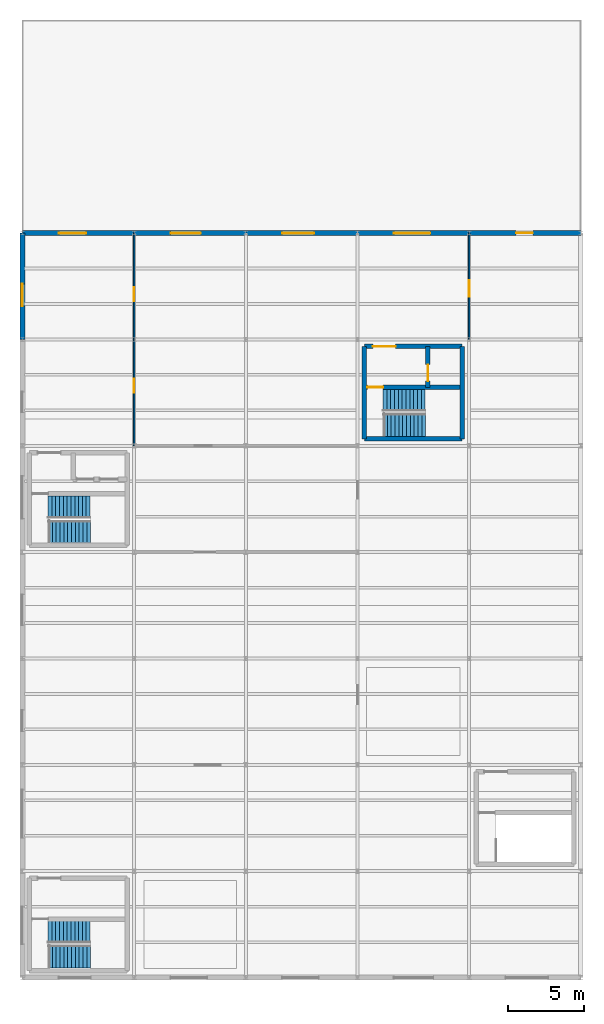
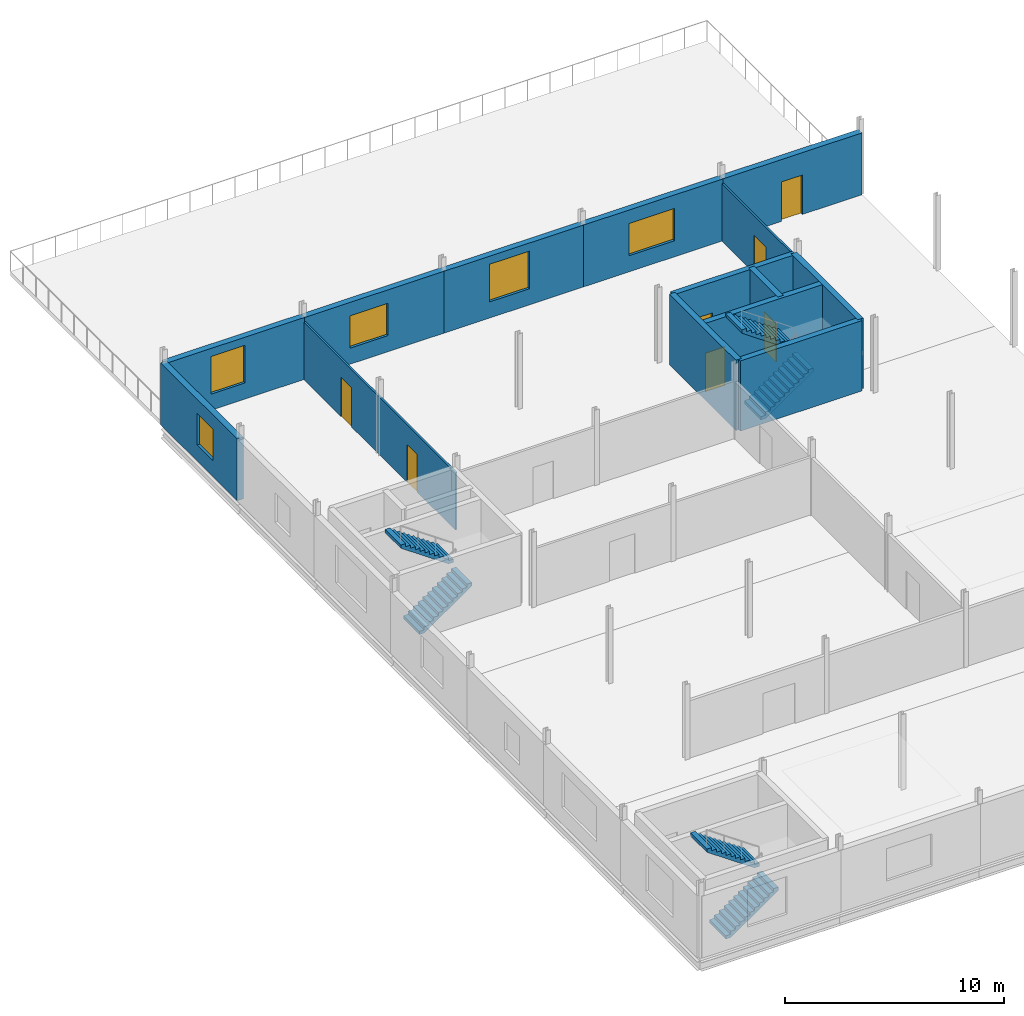
# One storey, part 8 of 9: 14 walls, 7 doors, 6 stair flights, 5 windows, 12 openings, 3 elements without a shape of their own.
"""IFC4 building model written with IfcOpenShell, lengths in metres."""

from ifc_helpers import new_model, si_unit, direction, frame, frame_2d, origin, place, context, subcontext, project, spatial, polyline, rectangle, outline, extrude, material, layer, layer_set, type_object, element, fill, aggregate, save


model = new_model("IFC4")

# Units and contexts
model_context = context("Model", 3, precision=1e-05, world=origin(), true_north=direction((0.0, 1.0)))
body_context = subcontext(model_context, "Body", "Model", "MODEL_VIEW")
ifc_project = project(units=[si_unit("LENGTHUNIT", "METRE"), si_unit("AREAUNIT", "SQUARE_METRE"), si_unit("VOLUMEUNIT", "CUBIC_METRE"), si_unit("PLANEANGLEUNIT", "RADIAN"), si_unit("MASSUNIT", "GRAM", prefix="KILO")], contexts=[model_context])

# Site, building, storey
site_placement = place(None, origin())
site = spatial("IfcSite", under=ifc_project, at=site_placement, CompositionType="ELEMENT")
building_placement = place(site_placement, origin())
building = spatial("IfcBuilding", under=site, at=building_placement, Name="Kazenagashi Tramway Depot", CompositionType="ELEMENT")
storey_placement = place(building_placement, frame((0.0, 0.0, 15.3)))
storey = spatial("IfcBuildingStorey", under=building, at=storey_placement, Name="L04", CompositionType="ELEMENT", Elevation=15.3)

# Wall, opening, window
ifc_material_1 = material(Name="Clay Brick Masonry JIS R 1250 Class 1 (20 MPa)", Category="masonry")
ifc_layer_1 = layer(ifc_material_1, 0.32)
ifc_layer_set_1 = layer_set([ifc_layer_1], Name="Clay Brick Masonry JIS R 1250 Class 1 (20 MPa)")
wall_type_1 = type_object("IfcWallType", Name="W-BK3", PredefinedType="SOLIDWALL", material=ifc_layer_set_1)
wall_1_placement = place(storey_placement, frame((0.0, 42.0, 0.0), z_axis=(0.0, 0.0, 1.0), x_axis=(0.0, 1.0, 0.0)))
wall_1 = element("IfcWall", 1, at=wall_1_placement, inside=storey, type_object=wall_type_1, Name="Exterior Brick Wall W-BK3 EWALL-0232", PredefinedType="SOLIDWALL", context=body_context, shape_type="SweptSolid", body=[
    extrude(rectangle(XDim=7.0, YDim=0.32, at=frame_2d((3.5, 0.0))), origin(), (0.0, 0.0, 1.0), 3.45),
])
opening_1_placement = place(wall_1_placement, frame((2.2, 0.0, 0.9)))
opening_1 = element("IfcOpeningElement", 2, at=opening_1_placement, cuts=wall_1, Name="Opening WN-22", PredefinedType="OPENING", context=body_context, shape_type="SweptSolid", body=[
    extrude(rectangle(XDim=1.45, YDim=1.75, at=frame_2d((0.725, 0.875))), frame((0.0, 0.17, 0.0), z_axis=(0.0, -1.0, 0.0), x_axis=(1.0, 0.0, 0.0)), (0.0, 0.0, 1.0), 0.34),
])
ifc_material_2 = material(Name="Anodised Aluminium and Tempered Low-E Glass", Category="aluminium")
window_type_1 = type_object("IfcWindowType", Name="WN-22", PartitioningType="SINGLE_PANEL", PredefinedType="WINDOW", material=ifc_material_2)
window_1_placement = place(opening_1_placement, origin())
window_1 = element("IfcWindow", 3, at=window_1_placement, inside=storey, type_object=window_type_1, Name="Window WN-22 WIN-0214", OverallHeight=1.75, OverallWidth=1.45, PartitioningType="SINGLE_PANEL", PredefinedType="WINDOW", context=body_context, shape_type="SweptSolid", body=[
    extrude(rectangle(XDim=1.45, YDim=1.75, at=frame_2d((0.725, 0.875))), frame((0.0, 0.03, 0.0), z_axis=(0.0, -1.0, 0.0), x_axis=(1.0, 0.0, 0.0)), (0.0, 0.0, 1.0), 0.06),
])
fill(opening_1, window_1)

wall_2_placement = place(storey_placement, frame((0.0, 49.0, 0.0), z_axis=(0.0, 0.0, 1.0), x_axis=(1.0, 0.0, 0.0)))
wall_2 = element("IfcWall", 4, at=wall_2_placement, inside=storey, type_object=wall_type_1, Name="Exterior Brick Wall W-BK3 EWALL-0248", PredefinedType="SOLIDWALL", context=body_context, shape_type="SweptSolid", body=[
    extrude(rectangle(XDim=7.35, YDim=0.32, at=frame_2d((3.675, 0.0))), origin(), (0.0, 0.0, 1.0), 3.45),
])
opening_2_placement = place(wall_2_placement, frame((2.4, 0.0, 0.9)))
opening_2 = element("IfcOpeningElement", 5, at=opening_2_placement, cuts=wall_2, Name="Opening WN-06", PredefinedType="OPENING", context=body_context, shape_type="SweptSolid", body=[
    extrude(rectangle(XDim=1.8, YDim=2.1, at=frame_2d((0.9, 1.05))), frame((0.0, 0.17, 0.0), z_axis=(0.0, -1.0, 0.0), x_axis=(1.0, 0.0, 0.0)), (0.0, 0.0, 1.0), 0.34),
])
window_type_2 = type_object("IfcWindowType", Name="WN-06", PartitioningType="SINGLE_PANEL", PredefinedType="WINDOW", material=ifc_material_2)
window_2_placement = place(opening_2_placement, origin())
window_2 = element("IfcWindow", 6, at=window_2_placement, inside=storey, type_object=window_type_2, Name="Window WN-06 WIN-0218", OverallHeight=2.1, OverallWidth=1.8, PartitioningType="SINGLE_PANEL", PredefinedType="WINDOW", context=body_context, shape_type="SweptSolid", body=[
    extrude(rectangle(XDim=1.8, YDim=2.1, at=frame_2d((0.9, 1.05))), frame((0.0, 0.03, 0.0), z_axis=(0.0, -1.0, 0.0), x_axis=(1.0, 0.0, 0.0)), (0.0, 0.0, 1.0), 0.06),
])
fill(opening_2, window_2)

wall_3_placement = place(storey_placement, frame((7.35, 49.0, 0.0), z_axis=(0.0, 0.0, 1.0), x_axis=(1.0, 0.0, 0.0)))
wall_3 = element("IfcWall", 7, at=wall_3_placement, inside=storey, type_object=wall_type_1, Name="Exterior Brick Wall W-BK3 EWALL-0251", PredefinedType="SOLIDWALL", context=body_context, shape_type="SweptSolid", body=[
    extrude(rectangle(XDim=7.35, YDim=0.32, at=frame_2d((3.675, 0.0))), origin(), (0.0, 0.0, 1.0), 3.45),
])
opening_3_placement = place(wall_3_placement, frame((2.4, 0.0, 0.9)))
opening_3 = element("IfcOpeningElement", 8, at=opening_3_placement, cuts=wall_3, Name="Opening WN-07", PredefinedType="OPENING", context=body_context, shape_type="SweptSolid", body=[
    extrude(rectangle(XDim=2.0, YDim=1.8, at=frame_2d((1.0, 0.9))), frame((0.0, 0.17, 0.0), z_axis=(0.0, -1.0, 0.0), x_axis=(1.0, 0.0, 0.0)), (0.0, 0.0, 1.0), 0.34),
])
window_type_3 = type_object("IfcWindowType", Name="WN-07", PartitioningType="SINGLE_PANEL", PredefinedType="WINDOW", material=ifc_material_2)
window_3_placement = place(opening_3_placement, origin())
window_3 = element("IfcWindow", 9, at=window_3_placement, inside=storey, type_object=window_type_3, Name="Window WN-07 WIN-0221", OverallHeight=1.8, OverallWidth=2.0, PartitioningType="SINGLE_PANEL", PredefinedType="WINDOW", context=body_context, shape_type="SweptSolid", body=[
    extrude(rectangle(XDim=2.0, YDim=1.8, at=frame_2d((1.0, 0.9))), frame((0.0, 0.03, 0.0), z_axis=(0.0, -1.0, 0.0), x_axis=(1.0, 0.0, 0.0)), (0.0, 0.0, 1.0), 0.06),
])
fill(opening_3, window_3)

wall_4_placement = place(storey_placement, frame((14.7, 49.0, 0.0), z_axis=(0.0, 0.0, 1.0), x_axis=(1.0, 0.0, 0.0)))
wall_4 = element("IfcWall", 10, at=wall_4_placement, inside=storey, type_object=wall_type_1, Name="Exterior Brick Wall W-BK3 EWALL-0254", PredefinedType="SOLIDWALL", context=body_context, shape_type="SweptSolid", body=[
    extrude(rectangle(XDim=7.35, YDim=0.32, at=frame_2d((3.675, 0.0))), origin(), (0.0, 0.0, 1.0), 3.45),
])
opening_4_placement = place(wall_4_placement, frame((2.4, 0.0, 0.9)))
opening_4 = element("IfcOpeningElement", 11, at=opening_4_placement, cuts=wall_4, Name="Opening WN-08", PredefinedType="OPENING", context=body_context, shape_type="SweptSolid", body=[
    extrude(rectangle(XDim=2.1, YDim=2.1, at=frame_2d((1.05, 1.05))), frame((0.0, 0.17, 0.0), z_axis=(0.0, -1.0, 0.0), x_axis=(1.0, 0.0, 0.0)), (0.0, 0.0, 1.0), 0.34),
])
window_type_4 = type_object("IfcWindowType", Name="WN-08", PartitioningType="SINGLE_PANEL", PredefinedType="WINDOW", material=ifc_material_2)
window_4_placement = place(opening_4_placement, origin())
window_4 = element("IfcWindow", 12, at=window_4_placement, inside=storey, type_object=window_type_4, Name="Window WN-08 WIN-0224", OverallHeight=2.1, OverallWidth=2.1, PartitioningType="SINGLE_PANEL", PredefinedType="WINDOW", context=body_context, shape_type="SweptSolid", body=[
    extrude(rectangle(XDim=2.1, YDim=2.1, at=frame_2d((1.05, 1.05))), frame((0.0, 0.03, 0.0), z_axis=(0.0, -1.0, 0.0), x_axis=(1.0, 0.0, 0.0)), (0.0, 0.0, 1.0), 0.06),
])
fill(opening_4, window_4)

wall_5_placement = place(storey_placement, frame((22.05, 49.0, 0.0), z_axis=(0.0, 0.0, 1.0), x_axis=(1.0, 0.0, 0.0)))
wall_5 = element("IfcWall", 13, at=wall_5_placement, inside=storey, type_object=wall_type_1, Name="Exterior Brick Wall W-BK3 EWALL-0257", PredefinedType="SOLIDWALL", context=body_context, shape_type="SweptSolid", body=[
    extrude(rectangle(XDim=7.35, YDim=0.32, at=frame_2d((3.675, 0.0))), origin(), (0.0, 0.0, 1.0), 3.45),
])
opening_5_placement = place(wall_5_placement, frame((2.4, 0.0, 0.9)))
opening_5 = element("IfcOpeningElement", 14, at=opening_5_placement, cuts=wall_5, Name="Opening WN-09", PredefinedType="OPENING", context=body_context, shape_type="SweptSolid", body=[
    extrude(rectangle(XDim=2.4, YDim=1.8, at=frame_2d((1.2, 0.9))), frame((0.0, 0.17, 0.0), z_axis=(0.0, -1.0, 0.0), x_axis=(1.0, 0.0, 0.0)), (0.0, 0.0, 1.0), 0.34),
])
window_type_5 = type_object("IfcWindowType", Name="WN-09", PartitioningType="SINGLE_PANEL", PredefinedType="WINDOW", material=ifc_material_2)
window_5_placement = place(opening_5_placement, origin())
window_5 = element("IfcWindow", 15, at=window_5_placement, inside=storey, type_object=window_type_5, Name="Window WN-09 WIN-0227", OverallHeight=1.8, OverallWidth=2.4, PartitioningType="SINGLE_PANEL", PredefinedType="WINDOW", context=body_context, shape_type="SweptSolid", body=[
    extrude(rectangle(XDim=2.4, YDim=1.8, at=frame_2d((1.2, 0.9))), frame((0.0, 0.03, 0.0), z_axis=(0.0, -1.0, 0.0), x_axis=(1.0, 0.0, 0.0)), (0.0, 0.0, 1.0), 0.06),
])
fill(opening_5, window_5)

# Wall, opening, door
wall_6_placement = place(storey_placement, frame((29.4, 49.0, 0.0), z_axis=(0.0, 0.0, 1.0), x_axis=(1.0, 0.0, 0.0)))
wall_6 = element("IfcWall", 16, at=wall_6_placement, inside=storey, type_object=wall_type_1, Name="Exterior Brick Wall W-BK3 EWALL-0260", PredefinedType="SOLIDWALL", context=body_context, shape_type="SweptSolid", body=[
    extrude(rectangle(XDim=7.35, YDim=0.32, at=frame_2d((3.675, 0.0))), origin(), (0.0, 0.0, 1.0), 3.45),
])
opening_6_placement = place(wall_6_placement, frame((3.1, 0.0, 0.0)))
opening_6 = element("IfcOpeningElement", 17, at=opening_6_placement, cuts=wall_6, Name="Opening D-022", PredefinedType="OPENING", context=body_context, shape_type="SweptSolid", body=[
    extrude(rectangle(XDim=1.1, YDim=2.2, at=frame_2d((0.55, 1.1))), frame((0.0, 0.17, 0.0), z_axis=(0.0, -1.0, 0.0), x_axis=(1.0, 0.0, 0.0)), (0.0, 0.0, 1.0), 0.34),
])
ifc_material_3 = material(Name="Anodised Aluminium Terrace Door", Category="aluminium")
door_type_1 = type_object("IfcDoorType", Name="DT-04", OperationType="NOTDEFINED", PredefinedType="DOOR", material=ifc_material_3)
door_1_placement = place(opening_6_placement, origin())
door_1 = element("IfcDoor", 18, at=door_1_placement, inside=storey, type_object=door_type_1, Name="L04 North Planted Terrace Door D-022", OperationType="SINGLE_SWING_LEFT", OverallHeight=2.2, OverallWidth=1.1, PredefinedType="DOOR", context=body_context, shape_type="SweptSolid", body=[
    extrude(rectangle(XDim=1.1, YDim=2.2, at=frame_2d((0.55, 1.1))), frame((0.0, 0.025, 0.0), z_axis=(0.0, -1.0, 0.0), x_axis=(1.0, 0.0, 0.0)), (0.0, 0.0, 1.0), 0.05),
])
fill(opening_6, door_1)

ifc_material_4 = material(Name="Gypsum Plasterboard Partition", Category="gypsum")
ifc_layer_2 = layer(ifc_material_4, 0.1)
ifc_layer_set_2 = layer_set([ifc_layer_2], Name="Gypsum Plasterboard Partition")
wall_type_2 = type_object("IfcWallType", Name="W-PT3", PredefinedType="PARTITIONING", material=ifc_layer_set_2)
wall_7_placement = place(storey_placement, frame((29.4, 42.0, 0.0), z_axis=(0.0, 0.0, 1.0), x_axis=(0.0, 1.0, 0.0)))
wall_7 = element("IfcWall", 19, at=wall_7_placement, inside=storey, type_object=wall_type_2, Name="Interior Partition W-PT3 IWALL-0287", PredefinedType="PARTITIONING", context=body_context, shape_type="SweptSolid", body=[
    extrude(rectangle(XDim=7.0, YDim=0.1, at=frame_2d((3.5, 0.0))), origin(), (0.0, 0.0, 1.0), 3.2),
])
opening_7_placement = place(wall_7_placement, frame((2.8, 0.0, 0.0)))
opening_7 = element("IfcOpeningElement", 20, at=opening_7_placement, cuts=wall_7, Name="Opening D-200", PredefinedType="OPENING", context=body_context, shape_type="SweptSolid", body=[
    extrude(rectangle(XDim=1.1, YDim=2.1, at=frame_2d((0.55, 1.05))), frame((0.0, 0.06, 0.0), z_axis=(0.0, -1.0, 0.0), x_axis=(1.0, 0.0, 0.0)), (0.0, 0.0, 1.0), 0.12),
])
ifc_material_5 = material(Name="Powder-Coated Steel Door", Category="steel")
door_type_2 = type_object("IfcDoorType", Name="DT-12", OperationType="NOTDEFINED", PredefinedType="DOOR", material=ifc_material_5)
door_2_placement = place(opening_7_placement, origin())
door_2 = element("IfcDoor", 21, at=door_2_placement, inside=storey, type_object=door_type_2, Name="Interior Door D-200", OperationType="SINGLE_SWING_LEFT", OverallHeight=2.1, OverallWidth=1.1, PredefinedType="DOOR", context=body_context, shape_type="SweptSolid", body=[
    extrude(rectangle(XDim=1.1, YDim=2.1, at=frame_2d((0.55, 1.05))), frame((0.0, 0.025, 0.0), z_axis=(0.0, -1.0, 0.0), x_axis=(1.0, 0.0, 0.0)), (0.0, 0.0, 1.0), 0.05),
])
fill(opening_7, door_2)

# Wall, openings, doors
wall_8_placement = place(storey_placement, frame((7.35, 35.0, 0.0), z_axis=(0.0, 0.0, 1.0), x_axis=(0.0, 1.0, 0.0)))
wall_8 = element("IfcWall", 22, at=wall_8_placement, inside=storey, type_object=wall_type_2, Name="Interior Partition W-PT3 IWALL-0288", PredefinedType="PARTITIONING", context=body_context, shape_type="SweptSolid", body=[
    extrude(rectangle(XDim=14.0, YDim=0.1, at=frame_2d((7.0, 0.0))), origin(), (0.0, 0.0, 1.0), 3.2),
])
opening_8_placement = place(wall_8_placement, frame((3.5, 0.0, 0.0)))
opening_8 = element("IfcOpeningElement", 23, at=opening_8_placement, cuts=wall_8, Name="Opening D-201", PredefinedType="OPENING", context=body_context, shape_type="SweptSolid", body=[
    extrude(rectangle(XDim=0.9, YDim=2.1, at=frame_2d((0.45, 1.05))), frame((0.0, 0.06, 0.0), z_axis=(0.0, -1.0, 0.0), x_axis=(1.0, 0.0, 0.0)), (0.0, 0.0, 1.0), 0.12),
])
opening_9_placement = place(wall_8_placement, frame((9.5, 0.0, 0.0)))
opening_9 = element("IfcOpeningElement", 24, at=opening_9_placement, cuts=wall_8, Name="Opening D-202", PredefinedType="OPENING", context=body_context, shape_type="SweptSolid", body=[
    extrude(rectangle(XDim=0.95, YDim=2.2, at=frame_2d((0.475, 1.1))), frame((0.0, 0.06, 0.0), z_axis=(0.0, -1.0, 0.0), x_axis=(1.0, 0.0, 0.0)), (0.0, 0.0, 1.0), 0.12),
])
door_type_3 = type_object("IfcDoorType", Name="DT-19", OperationType="NOTDEFINED", PredefinedType="DOOR", material=ifc_material_5)
door_3_placement = place(opening_8_placement, origin())
door_3 = element("IfcDoor", 25, at=door_3_placement, inside=storey, type_object=door_type_3, Name="Interior Door D-201", OperationType="SINGLE_SWING_RIGHT", OverallHeight=2.1, OverallWidth=0.9, PredefinedType="DOOR", context=body_context, shape_type="SweptSolid", body=[
    extrude(rectangle(XDim=0.9, YDim=2.1, at=frame_2d((0.45, 1.05))), frame((0.0, 0.025, 0.0), z_axis=(0.0, -1.0, 0.0), x_axis=(1.0, 0.0, 0.0)), (0.0, 0.0, 1.0), 0.05),
])
fill(opening_8, door_3)
door_type_4 = type_object("IfcDoorType", Name="DT-20", OperationType="NOTDEFINED", PredefinedType="DOOR", material=ifc_material_5)
door_4_placement = place(opening_9_placement, origin())
door_4 = element("IfcDoor", 26, at=door_4_placement, inside=storey, type_object=door_type_4, Name="Interior Door D-202", OperationType="SINGLE_SWING_LEFT", OverallHeight=2.2, OverallWidth=0.95, PredefinedType="DOOR", context=body_context, shape_type="SweptSolid", body=[
    extrude(rectangle(XDim=0.95, YDim=2.2, at=frame_2d((0.475, 1.1))), frame((0.0, 0.025, 0.0), z_axis=(0.0, -1.0, 0.0), x_axis=(1.0, 0.0, 0.0)), (0.0, 0.0, 1.0), 0.05),
])
fill(opening_9, door_4)

# Wall
ifc_material_6 = material(Name="Concrete Fc36", Category="concrete")
ifc_layer_3 = layer(ifc_material_6, 0.3)
ifc_layer_set_3 = layer_set([ifc_layer_3], Name="Concrete Fc36")
wall_type_3 = type_object("IfcWallType", Name="W-RC1", PredefinedType="SHEAR", material=ifc_layer_set_3)
wall_9_placement = place(storey_placement, frame((22.51, 35.46, 0.0), z_axis=(0.0, 0.0, 1.0), x_axis=(1.0, 0.0, 0.0)))
element("IfcWall", 27, at=wall_9_placement, inside=storey, type_object=wall_type_3, Name="Core Shear Wall W-RC1 IWALL-0066", PredefinedType="SHEAR", context=body_context, shape_type="SweptSolid", body=[
    extrude(rectangle(XDim=6.43, YDim=0.3, at=frame_2d((3.215, 0.0))), origin(), (0.0, 0.0, 1.0), 3.92),
])

# Wall, opening, door
wall_10_placement = place(storey_placement, frame((22.51, 41.54, 0.0), z_axis=(0.0, 0.0, 1.0), x_axis=(1.0, 0.0, 0.0)))
wall_10 = element("IfcWall", 28, at=wall_10_placement, inside=storey, type_object=wall_type_3, Name="Core Shear Wall W-RC1 IWALL-0067", PredefinedType="SHEAR", context=body_context, shape_type="SweptSolid", body=[
    extrude(rectangle(XDim=6.43, YDim=0.3, at=frame_2d((3.215, 0.0))), origin(), (0.0, 0.0, 1.0), 3.92),
])
opening_10_placement = place(wall_10_placement, frame((0.55, 0.0, 0.0)))
opening_10 = element("IfcOpeningElement", 29, at=opening_10_placement, cuts=wall_10, Name="Opening D-068", PredefinedType="OPENING", context=body_context, shape_type="SweptSolid", body=[
    extrude(rectangle(XDim=1.5, YDim=2.2, at=frame_2d((0.75, 1.1))), frame((0.0, 0.16, 0.0), z_axis=(0.0, -1.0, 0.0), x_axis=(1.0, 0.0, 0.0)), (0.0, 0.0, 1.0), 0.32),
])
ifc_material_7 = material(Name="Galvanised Fire-Rated Steel Door", Category="steel")
door_type_5 = type_object("IfcDoorType", Name="DT-05", OperationType="NOTDEFINED", PredefinedType="DOOR", material=ifc_material_7)
door_5_placement = place(opening_10_placement, origin())
door_5 = element("IfcDoor", 30, at=door_5_placement, inside=storey, type_object=door_type_5, Name="Interior Door D-068", OperationType="DOUBLE_DOOR_SINGLE_SWING", OverallHeight=2.2, OverallWidth=1.5, PredefinedType="DOOR", context=body_context, shape_type="SweptSolid", body=[
    extrude(rectangle(XDim=1.5, YDim=2.2, at=frame_2d((0.75, 1.1))), frame((0.0, 0.025, 0.0), z_axis=(0.0, -1.0, 0.0), x_axis=(1.0, 0.0, 0.0)), (0.0, 0.0, 1.0), 0.05),
])
fill(opening_10, door_5)

# Walls
for number, where, z_axis, x_axis, name in (
    (31, (22.51, 35.46, 0.0), (0.0, 0.0, 1.0), (0.0, 1.0, 0.0), "Core Shear Wall W-RC1 IWALL-0068"),
    (32, (28.94, 35.46, 0.0), (0.0, 0.0, 1.0), (0.0, 1.0, 0.0), "Core Shear Wall W-RC1 IWALL-0069"),
):
    element("IfcWall", number, at=place(storey_placement, frame(where, z_axis=z_axis, x_axis=x_axis)), inside=storey, type_object=wall_type_3, Name=name, PredefinedType="SHEAR", context=body_context, shape_type="SweptSolid", body=[
        extrude(rectangle(XDim=6.08, YDim=0.3, at=frame_2d((3.04, 0.0))), origin(), (0.0, 0.0, 1.0), 3.92),
    ])

# Wall, opening, door
wall_11_placement = place(storey_placement, frame((22.51, 38.85, 0.0), z_axis=(0.0, 0.0, 1.0), x_axis=(1.0, 0.0, 0.0)))
wall_11 = element("IfcWall", 33, at=wall_11_placement, inside=storey, type_object=wall_type_3, Name="Core Shear Wall W-RC1 IWALL-0070", PredefinedType="SHEAR", context=body_context, shape_type="SweptSolid", body=[
    extrude(rectangle(XDim=6.43, YDim=0.3, at=frame_2d((3.215, 0.0))), origin(), (0.0, 0.0, 1.0), 3.92),
])
opening_11_placement = place(wall_11_placement, frame((0.185, 0.0, 0.0)))
opening_11 = element("IfcOpeningElement", 34, at=opening_11_placement, cuts=wall_11, Name="Opening D-067", PredefinedType="OPENING", context=body_context, shape_type="SweptSolid", body=[
    extrude(rectangle(XDim=1.05, YDim=2.15, at=frame_2d((0.525, 1.075))), frame((0.0, 0.16, 0.0), z_axis=(0.0, -1.0, 0.0), x_axis=(1.0, 0.0, 0.0)), (0.0, 0.0, 1.0), 0.32),
])
door_type_6 = type_object("IfcDoorType", Name="DT-07", OperationType="NOTDEFINED", PredefinedType="DOOR", material=ifc_material_7)
door_6_placement = place(opening_11_placement, origin())
door_6 = element("IfcDoor", 35, at=door_6_placement, inside=storey, type_object=door_type_6, Name="Interior Door D-067", OperationType="SINGLE_SWING_RIGHT", OverallHeight=2.15, OverallWidth=1.05, PredefinedType="DOOR", context=body_context, shape_type="SweptSolid", body=[
    extrude(rectangle(XDim=1.05, YDim=2.15, at=frame_2d((0.525, 1.075))), frame((0.0, 0.025, 0.0), z_axis=(0.0, -1.0, 0.0), x_axis=(1.0, 0.0, 0.0)), (0.0, 0.0, 1.0), 0.05),
])
fill(opening_11, door_6)

wall_12_placement = place(storey_placement, frame((26.69, 38.85, 0.0), z_axis=(0.0, 0.0, 1.0), x_axis=(0.0, 1.0, 0.0)))
wall_12 = element("IfcWall", 36, at=wall_12_placement, inside=storey, type_object=wall_type_3, Name="Core Shear Wall W-RC1 IWALL-0071", PredefinedType="SHEAR", context=body_context, shape_type="SweptSolid", body=[
    extrude(rectangle(XDim=2.69, YDim=0.3, at=frame_2d((1.345, 0.0))), origin(), (0.0, 0.0, 1.0), 3.92),
])
opening_12_placement = place(wall_12_placement, frame((0.4, 0.0, 0.0)))
opening_12 = element("IfcOpeningElement", 37, at=opening_12_placement, cuts=wall_12, Name="Opening LD-14", PredefinedType="OPENING", context=body_context, shape_type="SweptSolid", body=[
    extrude(rectangle(XDim=1.1, YDim=2.15, at=frame_2d((0.55, 1.075))), frame((0.0, 0.16, 0.0), z_axis=(0.0, -1.0, 0.0), x_axis=(1.0, 0.0, 0.0)), (0.0, 0.0, 1.0), 0.32),
])
ifc_material_8 = material(Name="Brushed Stainless Steel Landing Door", Category="steel")
door_type_7 = type_object("IfcDoorType", Name="DT-29", OperationType="NOTDEFINED", PredefinedType="DOOR", material=ifc_material_8)
door_7_placement = place(opening_12_placement, origin())
door_7 = element("IfcDoor", 38, at=door_7_placement, inside=storey, type_object=door_type_7, Name="Lift Sliding Landing Door LD-14", OperationType="SLIDING_TO_RIGHT", OverallHeight=2.15, OverallWidth=1.1, PredefinedType="DOOR", context=body_context, shape_type="SweptSolid", body=[
    extrude(rectangle(XDim=1.1, YDim=2.15, at=frame_2d((0.55, 1.075))), frame((0.0, 0.025, 0.0), z_axis=(0.0, -1.0, 0.0), x_axis=(1.0, 0.0, 0.0)), (0.0, 0.0, 1.0), 0.05),
])
fill(opening_12, door_7)

# Stair, stair flights
stair_type = type_object("IfcStairType", Name="ST-T4", PredefinedType="USERDEFINED", material=ifc_material_6)
stair_1_placement = place(storey_placement, origin())
stair_1 = element("IfcStair", 39, at=stair_1_placement, inside=storey, type_object=stair_type, Name="Enclosed Escape Stair ST-04", ObjectType="TWO_RETURN_STAIR", PredefinedType="USERDEFINED")
ifc_layer_4 = layer(ifc_material_6, 0.18)
ifc_layer_set_4 = layer_set([ifc_layer_4], Name="Concrete Fc36")
stair_flight_type_1 = type_object("IfcStairFlightType", Name="SF-F01", PredefinedType="STRAIGHT", material=ifc_layer_set_4)
stair_flight_1_placement = place(storey_placement, frame((1.72, 29.345, 0.0), z_axis=(0.0, 0.0, 1.0), x_axis=(1.0, 0.0, 0.0)))
stair_flight_1 = element("IfcStairFlight", 40, at=stair_flight_1_placement, type_object=stair_flight_type_1, Name="ST-04 flight 1", NumberOfRisers=12, NumberOfTreads=11, PredefinedType="STRAIGHT", RiserHeight=0.175, TreadLength=0.252, context=body_context, shape_type="SweptSolid", body=[
    extrude(outline(polyline([(0.0, 0.0), (0.0, 0.175), (0.252, 0.175), (0.252, 0.35), (0.504, 0.35), (0.504, 0.525), (0.756, 0.525), (0.756, 0.7), (1.008, 0.7), (1.008, 0.875), (1.26, 0.875), (1.26, 1.05), (1.512, 1.05), (1.512, 1.225), (1.764, 1.225), (1.764, 1.4), (2.016, 1.4), (2.016, 1.575), (2.268, 1.575), (2.268, 1.75), (2.52, 1.75), (2.52, 1.925), (2.772, 1.925), (2.772, 2.1), (2.772, 1.742378), (0.262975, 0.0), (0.0, 0.0)])), frame((0.0, 0.725, 0.0), z_axis=(0.0, -1.0, 0.0), x_axis=(1.0, 0.0, 0.0)), (0.0, 0.0, 1.0), 1.45),
])
stair_flight_2_placement = place(storey_placement, frame((4.452, 30.955, 2.1), z_axis=(0.0, 0.0, 1.0), x_axis=(-1.0, 0.0, 0.0)))
stair_flight_2 = element("IfcStairFlight", 41, at=stair_flight_2_placement, type_object=stair_flight_type_1, Name="ST-04 flight 2", NumberOfRisers=12, NumberOfTreads=11, PredefinedType="STRAIGHT", RiserHeight=0.175, TreadLength=0.252, context=body_context, shape_type="SweptSolid", body=[
    extrude(outline(polyline([(0.0, 0.0), (0.0, 0.175), (0.252, 0.175), (0.252, 0.35), (0.504, 0.35), (0.504, 0.525), (0.756, 0.525), (0.756, 0.7), (1.008, 0.7), (1.008, 0.875), (1.26, 0.875), (1.26, 1.05), (1.512, 1.05), (1.512, 1.225), (1.764, 1.225), (1.764, 1.4), (2.016, 1.4), (2.016, 1.575), (2.268, 1.575), (2.268, 1.75), (2.52, 1.75), (2.52, 1.925), (2.772, 1.925), (2.772, 2.1), (2.772, 1.742378), (0.262975, 0.0), (0.0, 0.0)])), frame((0.0, 0.725, 0.0), z_axis=(0.0, -1.0, 0.0), x_axis=(1.0, 0.0, 0.0)), (0.0, 0.0, 1.0), 1.45),
])
aggregate(stair_1, [stair_flight_1, stair_flight_2])

stair_2_placement = place(storey_placement, origin())
stair_2 = element("IfcStair", 42, at=stair_2_placement, inside=storey, type_object=stair_type, Name="Enclosed Escape Stair ST-08", ObjectType="TWO_RETURN_STAIR", PredefinedType="USERDEFINED")
ifc_layer_5 = layer(ifc_material_6, 0.18)
ifc_layer_set_5 = layer_set([ifc_layer_5], Name="Concrete Fc36")
stair_flight_type_2 = type_object("IfcStairFlightType", Name="SF-F02", PredefinedType="STRAIGHT", material=ifc_layer_set_5)
stair_flight_3_placement = place(storey_placement, frame((23.77, 36.37, 0.0), z_axis=(0.0, 0.0, 1.0), x_axis=(1.0, 0.0, 0.0)))
stair_flight_3 = element("IfcStairFlight", 43, at=stair_flight_3_placement, type_object=stair_flight_type_2, Name="ST-08 flight 1", NumberOfRisers=12, NumberOfTreads=11, PredefinedType="STRAIGHT", RiserHeight=0.175, TreadLength=0.252, context=body_context, shape_type="SweptSolid", body=[
    extrude(outline(polyline([(0.0, 0.0), (0.0, 0.175), (0.252, 0.175), (0.252, 0.35), (0.504, 0.35), (0.504, 0.525), (0.756, 0.525), (0.756, 0.7), (1.008, 0.7), (1.008, 0.875), (1.26, 0.875), (1.26, 1.05), (1.512, 1.05), (1.512, 1.225), (1.764, 1.225), (1.764, 1.4), (2.016, 1.4), (2.016, 1.575), (2.268, 1.575), (2.268, 1.75), (2.52, 1.75), (2.52, 1.925), (2.772, 1.925), (2.772, 2.1), (2.772, 1.742378), (0.262975, 0.0), (0.0, 0.0)])), frame((0.0, 0.75, 0.0), z_axis=(0.0, -1.0, 0.0), x_axis=(1.0, 0.0, 0.0)), (0.0, 0.0, 1.0), 1.5),
])
stair_flight_4_placement = place(storey_placement, frame((26.502, 38.03, 2.1), z_axis=(0.0, 0.0, 1.0), x_axis=(-1.0, 0.0, 0.0)))
stair_flight_4 = element("IfcStairFlight", 44, at=stair_flight_4_placement, type_object=stair_flight_type_2, Name="ST-08 flight 2", NumberOfRisers=12, NumberOfTreads=11, PredefinedType="STRAIGHT", RiserHeight=0.175, TreadLength=0.252, context=body_context, shape_type="SweptSolid", body=[
    extrude(outline(polyline([(0.0, 0.0), (0.0, 0.175), (0.252, 0.175), (0.252, 0.35), (0.504, 0.35), (0.504, 0.525), (0.756, 0.525), (0.756, 0.7), (1.008, 0.7), (1.008, 0.875), (1.26, 0.875), (1.26, 1.05), (1.512, 1.05), (1.512, 1.225), (1.764, 1.225), (1.764, 1.4), (2.016, 1.4), (2.016, 1.575), (2.268, 1.575), (2.268, 1.75), (2.52, 1.75), (2.52, 1.925), (2.772, 1.925), (2.772, 2.1), (2.772, 1.742378), (0.262975, 0.0), (0.0, 0.0)])), frame((0.0, 0.75, 0.0), z_axis=(0.0, -1.0, 0.0), x_axis=(1.0, 0.0, 0.0)), (0.0, 0.0, 1.0), 1.5),
])
aggregate(stair_2, [stair_flight_3, stair_flight_4])

stair_3_placement = place(storey_placement, origin())
stair_3 = element("IfcStair", 45, at=stair_3_placement, inside=storey, type_object=stair_type, Name="Enclosed Escape Stair ST-15", ObjectType="TWO_RETURN_STAIR", PredefinedType="USERDEFINED")
stair_flight_5_placement = place(storey_placement, frame((1.72, 1.37, 0.0), z_axis=(0.0, 0.0, 1.0), x_axis=(1.0, 0.0, 0.0)))
stair_flight_5 = element("IfcStairFlight", 46, at=stair_flight_5_placement, type_object=stair_flight_type_2, Name="ST-15 flight 1", NumberOfRisers=12, NumberOfTreads=11, PredefinedType="STRAIGHT", RiserHeight=0.175, TreadLength=0.252, context=body_context, shape_type="SweptSolid", body=[
    extrude(outline(polyline([(0.0, 0.0), (0.0, 0.175), (0.252, 0.175), (0.252, 0.35), (0.504, 0.35), (0.504, 0.525), (0.756, 0.525), (0.756, 0.7), (1.008, 0.7), (1.008, 0.875), (1.26, 0.875), (1.26, 1.05), (1.512, 1.05), (1.512, 1.225), (1.764, 1.225), (1.764, 1.4), (2.016, 1.4), (2.016, 1.575), (2.268, 1.575), (2.268, 1.75), (2.52, 1.75), (2.52, 1.925), (2.772, 1.925), (2.772, 2.1), (2.772, 1.742378), (0.262975, 0.0), (0.0, 0.0)])), frame((0.0, 0.75, 0.0), z_axis=(0.0, -1.0, 0.0), x_axis=(1.0, 0.0, 0.0)), (0.0, 0.0, 1.0), 1.5),
])
stair_flight_6_placement = place(storey_placement, frame((4.452, 3.03, 2.1), z_axis=(0.0, 0.0, 1.0), x_axis=(-1.0, 0.0, 0.0)))
stair_flight_6 = element("IfcStairFlight", 47, at=stair_flight_6_placement, type_object=stair_flight_type_2, Name="ST-15 flight 2", NumberOfRisers=12, NumberOfTreads=11, PredefinedType="STRAIGHT", RiserHeight=0.175, TreadLength=0.252, context=body_context, shape_type="SweptSolid", body=[
    extrude(outline(polyline([(0.0, 0.0), (0.0, 0.175), (0.252, 0.175), (0.252, 0.35), (0.504, 0.35), (0.504, 0.525), (0.756, 0.525), (0.756, 0.7), (1.008, 0.7), (1.008, 0.875), (1.26, 0.875), (1.26, 1.05), (1.512, 1.05), (1.512, 1.225), (1.764, 1.225), (1.764, 1.4), (2.016, 1.4), (2.016, 1.575), (2.268, 1.575), (2.268, 1.75), (2.52, 1.75), (2.52, 1.925), (2.772, 1.925), (2.772, 2.1), (2.772, 1.742378), (0.262975, 0.0), (0.0, 0.0)])), frame((0.0, 0.75, 0.0), z_axis=(0.0, -1.0, 0.0), x_axis=(1.0, 0.0, 0.0)), (0.0, 0.0, 1.0), 1.5),
])
aggregate(stair_3, [stair_flight_5, stair_flight_6])

save(model, "model.ifc")
